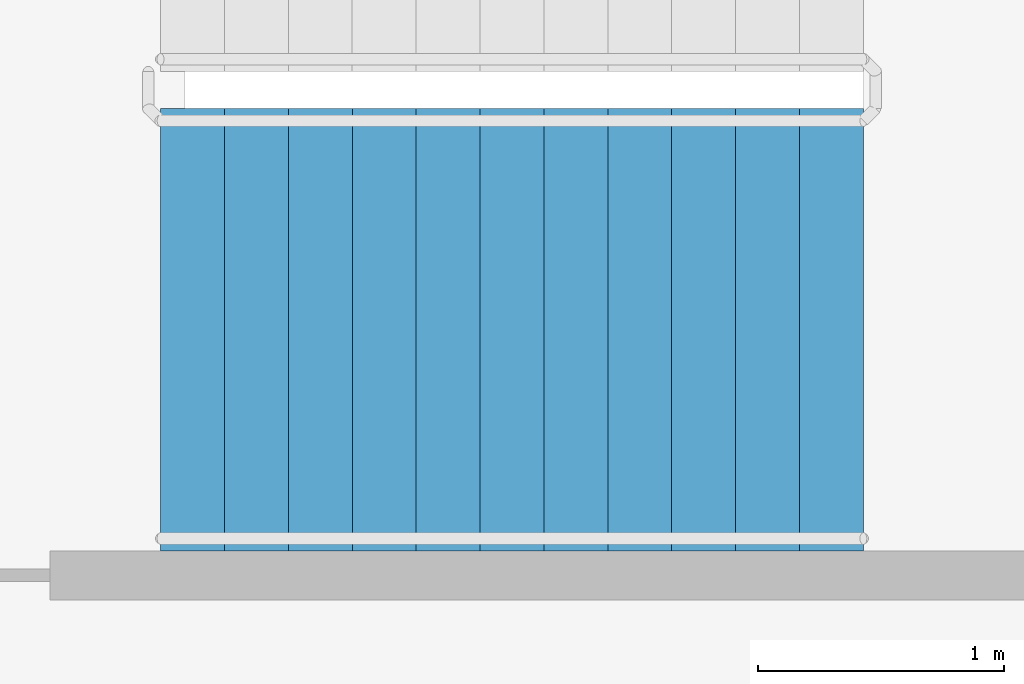
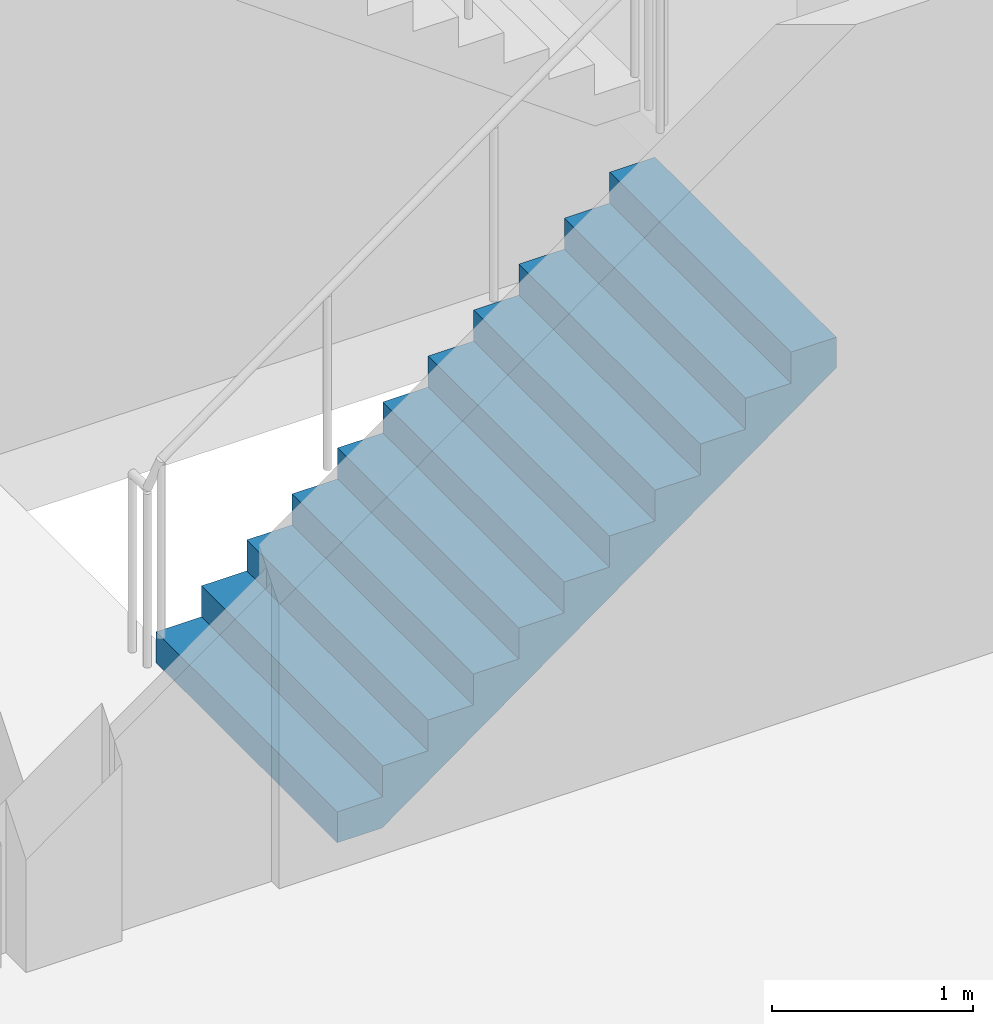
# One storey, part 38 of 51: 1 stair flight, 1 element without a shape of its own.
"""IFC4 building model written with IfcOpenShell, lengths in metres."""

from ifc_helpers import new_model, si_unit, direction, frame, origin, place, context, subcontext, project, spatial, faceted_brep, material, type_object, element, aggregate, save


model = new_model("IFC4")

# Units and contexts
model_context = context("Model", 3, precision=1e-05, world=origin(), true_north=direction((0.0, 1.0)))
body_context = subcontext(model_context, "Body", "Model", "MODEL_VIEW")
ifc_project = project(units=[si_unit("LENGTHUNIT", "METRE"), si_unit("AREAUNIT", "SQUARE_METRE"), si_unit("VOLUMEUNIT", "CUBIC_METRE"), si_unit("PLANEANGLEUNIT", "RADIAN"), si_unit("MASSUNIT", "GRAM", prefix="KILO")], contexts=[model_context])

# Site, building, storey
site_placement = place(None, origin())
site = spatial("IfcSite", under=ifc_project, at=site_placement, CompositionType="ELEMENT")
building_placement = place(site_placement, origin())
building = spatial("IfcBuilding", under=site, at=building_placement, Name="Ipe Terrace Towers", CompositionType="ELEMENT")
storey_placement = place(building_placement, frame((0.0, 0.0, 15.5)))
storey = spatial("IfcBuildingStorey", under=building, at=storey_placement, Name="L03", CompositionType="ELEMENT", Elevation=15.5)

# Stair, stair flight
ifc_material_1 = material(Name="Concrete C30/37", Category="concrete")
stair_type = type_object("IfcStairType", Name="Protected exit stair", PredefinedType="HALF_TURN_STAIR", material=ifc_material_1)
stair_placement = place(storey_placement, origin())
stair = element("IfcStair", 1, at=stair_placement, inside=storey, type_object=stair_type, Name="L03 Podium exit stair PS6", PredefinedType="HALF_TURN_STAIR")
ifc_material_2 = material(Name="Concrete C30/37", Category="concrete")
stair_flight_type = type_object("IfcStairFlightType", Name="Exit stair flight 1800", PredefinedType="STRAIGHT", material=ifc_material_2)
stair_flight_placement = place(storey_placement, frame((49.77001953125, -22.5, 0.0), z_axis=(0.0, 0.0, 1.0), x_axis=(1.0, 0.0, 0.0)))
stair_flight = element("IfcStairFlight", 2, at=stair_flight_placement, type_object=stair_flight_type, Name="PS6 flight 1", NumberOfRisers=12, NumberOfTreads=11, PredefinedType="STRAIGHT", RiserHeight=0.1875, TreadLength=0.26, context=body_context, shape_type="Brep", body=[
    faceted_brep([(0.25634765625, -0.89990234375, 0.0), (2.860107421875, -0.89990234375, 1.877685546875), (2.860107421875, -0.89990234375, 2.0625), (2.60009765625, -0.89990234375, 2.0625), (2.60009765625, -0.89990234375, 1.875), (2.340087890625, -0.89990234375, 1.875), (2.340087890625, -0.89990234375, 1.6875), (2.080078125, -0.89990234375, 1.6875), (2.080078125, -0.89990234375, 1.5), (1.820068359375, -0.89990234375, 1.5), (1.820068359375, -0.89990234375, 1.3125), (1.56005859375, -0.89990234375, 1.3125), (1.56005859375, -0.89990234375, 1.125), (1.300048828125, -0.89990234375, 1.125), (1.300048828125, -0.89990234375, 0.9375), (1.0400390625, -0.89990234375, 0.9375), (1.0400390625, -0.89990234375, 0.75), (0.780029296875, -0.89990234375, 0.75), (0.780029296875, -0.89990234375, 0.5625), (0.52001953125, -0.89990234375, 0.5625), (0.52001953125, -0.89990234375, 0.375), (0.260009765625, -0.89990234375, 0.375), (0.260009765625, -0.89990234375, 0.1875), (0.0, -0.89990234375, 0.1875), (0.0, -0.89990234375, 0.0), (0.0, 0.89990234375, 0.0), (0.0, 0.89990234375, 0.1875), (0.260009765625, 0.89990234375, 0.1875), (0.260009765625, 0.89990234375, 0.375), (0.52001953125, 0.89990234375, 0.375), (0.52001953125, 0.89990234375, 0.5625), (0.780029296875, 0.89990234375, 0.5625), (0.780029296875, 0.89990234375, 0.75), (1.0400390625, 0.89990234375, 0.75), (1.0400390625, 0.89990234375, 0.9375), (1.300048828125, 0.89990234375, 0.9375), (1.300048828125, 0.89990234375, 1.125), (1.56005859375, 0.89990234375, 1.125), (1.56005859375, 0.89990234375, 1.3125), (1.820068359375, 0.89990234375, 1.3125), (1.820068359375, 0.89990234375, 1.5), (2.080078125, 0.89990234375, 1.5), (2.080078125, 0.89990234375, 1.6875), (2.340087890625, 0.89990234375, 1.6875), (2.340087890625, 0.89990234375, 1.875), (2.60009765625, 0.89990234375, 1.875), (2.60009765625, 0.89990234375, 2.0625), (2.860107421875, 0.89990234375, 2.0625), (2.860107421875, 0.89990234375, 1.877685546875), (0.25634765625, 0.89990234375, 0.0), (0.0, -0.300048828125, 0.1875), (0.0, -0.1201171875, 0.1875), (0.0, -0.06005859375, 0.1875), (0.0, -0.030029296875, 0.1875), (0.0, -0.010009765625, 0.1875), (0.0, 0.0, 0.1875), (0.0, 0.010009765625, 0.1875), (0.0, 0.030029296875, 0.1875), (0.0, 0.06005859375, 0.1875), (0.0, 0.1201171875, 0.1875), (0.0, 0.300048828125, 0.1875), (0.0, 0.300048828125, 0.0), (0.0, 0.1201171875, 0.0), (0.0, 0.06005859375, 0.0), (0.0, 0.030029296875, 0.0), (0.0, 0.010009765625, 0.0), (0.0, 0.0, 0.0), (0.0, -0.010009765625, 0.0), (0.0, -0.030029296875, 0.0), (0.0, -0.06005859375, 0.0), (0.0, -0.1201171875, 0.0), (0.0, -0.300048828125, 0.0), (0.260009765625, -0.300048828125, 0.1875), (0.260009765625, -0.1201171875, 0.1875), (0.260009765625, -0.06005859375, 0.1875), (0.260009765625, -0.030029296875, 0.1875), (0.260009765625, -0.010009765625, 0.1875), (0.260009765625, 0.0, 0.1875), (0.260009765625, 0.010009765625, 0.1875), (0.260009765625, 0.030029296875, 0.1875), (0.260009765625, 0.06005859375, 0.1875), (0.260009765625, 0.1201171875, 0.1875), (0.260009765625, 0.300048828125, 0.1875), (0.260009765625, -0.300048828125, 0.375), (0.260009765625, -0.1201171875, 0.375), (0.260009765625, -0.06005859375, 0.375), (0.260009765625, -0.030029296875, 0.375), (0.260009765625, -0.010009765625, 0.375), (0.260009765625, 0.0, 0.375), (0.260009765625, 0.010009765625, 0.375), (0.260009765625, 0.030029296875, 0.375), (0.260009765625, 0.06005859375, 0.375), (0.260009765625, 0.1201171875, 0.375), (0.260009765625, 0.300048828125, 0.375), (0.52001953125, -0.300048828125, 0.375), (0.52001953125, -0.1201171875, 0.375), (0.52001953125, -0.06005859375, 0.375), (0.52001953125, -0.030029296875, 0.375), (0.52001953125, -0.010009765625, 0.375), (0.52001953125, 0.0, 0.375), (0.52001953125, 0.010009765625, 0.375), (0.52001953125, 0.030029296875, 0.375), (0.52001953125, 0.06005859375, 0.375), (0.52001953125, 0.1201171875, 0.375), (0.52001953125, 0.300048828125, 0.375), (0.52001953125, -0.300048828125, 0.5625), (0.52001953125, -0.1201171875, 0.5625), (0.52001953125, -0.06005859375, 0.5625), (0.52001953125, -0.030029296875, 0.5625), (0.52001953125, -0.010009765625, 0.5625), (0.52001953125, 0.0, 0.5625), (0.52001953125, 0.010009765625, 0.5625), (0.52001953125, 0.030029296875, 0.5625), (0.52001953125, 0.06005859375, 0.5625), (0.52001953125, 0.1201171875, 0.5625), (0.52001953125, 0.300048828125, 0.5625), (0.780029296875, -0.300048828125, 0.5625), (0.780029296875, -0.1201171875, 0.5625), (0.780029296875, -0.06005859375, 0.5625), (0.780029296875, -0.030029296875, 0.5625), (0.780029296875, -0.010009765625, 0.5625), (0.780029296875, 0.0, 0.5625), (0.780029296875, 0.010009765625, 0.5625), (0.780029296875, 0.030029296875, 0.5625), (0.780029296875, 0.06005859375, 0.5625), (0.780029296875, 0.1201171875, 0.5625), (0.780029296875, 0.300048828125, 0.5625), (0.780029296875, -0.300048828125, 0.75), (0.780029296875, -0.1201171875, 0.75), (0.780029296875, -0.06005859375, 0.75), (0.780029296875, -0.030029296875, 0.75), (0.780029296875, -0.010009765625, 0.75), (0.780029296875, 0.0, 0.75), (0.780029296875, 0.010009765625, 0.75), (0.780029296875, 0.030029296875, 0.75), (0.780029296875, 0.06005859375, 0.75), (0.780029296875, 0.1201171875, 0.75), (0.780029296875, 0.300048828125, 0.75), (1.0400390625, -0.300048828125, 0.75), (1.0400390625, -0.1201171875, 0.75), (1.0400390625, -0.06005859375, 0.75), (1.0400390625, -0.030029296875, 0.75), (1.0400390625, -0.010009765625, 0.75), (1.0400390625, 0.0, 0.75), (1.0400390625, 0.010009765625, 0.75), (1.0400390625, 0.030029296875, 0.75), (1.0400390625, 0.06005859375, 0.75), (1.0400390625, 0.1201171875, 0.75), (1.0400390625, 0.300048828125, 0.75), (1.0400390625, -0.300048828125, 0.9375), (1.0400390625, -0.1201171875, 0.9375), (1.0400390625, -0.06005859375, 0.9375), (1.0400390625, -0.030029296875, 0.9375), (1.0400390625, -0.010009765625, 0.9375), (1.0400390625, 0.0, 0.9375), (1.0400390625, 0.010009765625, 0.9375), (1.0400390625, 0.030029296875, 0.9375), (1.0400390625, 0.06005859375, 0.9375), (1.0400390625, 0.1201171875, 0.9375), (1.0400390625, 0.300048828125, 0.9375), (1.300048828125, -0.300048828125, 0.9375), (1.300048828125, -0.1201171875, 0.9375), (1.300048828125, -0.06005859375, 0.9375), (1.300048828125, -0.030029296875, 0.9375), (1.300048828125, -0.010009765625, 0.9375), (1.300048828125, 0.0, 0.9375), (1.300048828125, 0.010009765625, 0.9375), (1.300048828125, 0.030029296875, 0.9375), (1.300048828125, 0.06005859375, 0.9375), (1.300048828125, 0.1201171875, 0.9375), (1.300048828125, 0.300048828125, 0.9375), (1.300048828125, -0.300048828125, 1.125), (1.300048828125, -0.1201171875, 1.125), (1.300048828125, -0.06005859375, 1.125), (1.300048828125, -0.030029296875, 1.125), (1.300048828125, -0.010009765625, 1.125), (1.300048828125, 0.0, 1.125), (1.300048828125, 0.010009765625, 1.125), (1.300048828125, 0.030029296875, 1.125), (1.300048828125, 0.06005859375, 1.125), (1.300048828125, 0.1201171875, 1.125), (1.300048828125, 0.300048828125, 1.125), (1.56005859375, -0.300048828125, 1.125), (1.56005859375, -0.1201171875, 1.125), (1.56005859375, -0.06005859375, 1.125), (1.56005859375, -0.030029296875, 1.125), (1.56005859375, -0.010009765625, 1.125), (1.56005859375, 0.0, 1.125), (1.56005859375, 0.010009765625, 1.125), (1.56005859375, 0.030029296875, 1.125), (1.56005859375, 0.06005859375, 1.125), (1.56005859375, 0.1201171875, 1.125), (1.56005859375, 0.300048828125, 1.125), (1.56005859375, -0.300048828125, 1.3125), (1.56005859375, -0.1201171875, 1.3125), (1.56005859375, -0.06005859375, 1.3125), (1.56005859375, -0.030029296875, 1.3125), (1.56005859375, -0.010009765625, 1.3125), (1.56005859375, 0.0, 1.3125), (1.56005859375, 0.010009765625, 1.3125), (1.56005859375, 0.030029296875, 1.3125), (1.56005859375, 0.06005859375, 1.3125), (1.56005859375, 0.1201171875, 1.3125), (1.56005859375, 0.300048828125, 1.3125), (1.820068359375, -0.300048828125, 1.3125), (1.820068359375, -0.1201171875, 1.3125), (1.820068359375, -0.06005859375, 1.3125), (1.820068359375, -0.030029296875, 1.3125), (1.820068359375, -0.010009765625, 1.3125), (1.820068359375, 0.0, 1.3125), (1.820068359375, 0.010009765625, 1.3125), (1.820068359375, 0.030029296875, 1.3125), (1.820068359375, 0.06005859375, 1.3125), (1.820068359375, 0.1201171875, 1.3125), (1.820068359375, 0.300048828125, 1.3125), (1.820068359375, -0.300048828125, 1.5), (1.820068359375, -0.1201171875, 1.5), (1.820068359375, -0.06005859375, 1.5), (1.820068359375, -0.030029296875, 1.5), (1.820068359375, -0.010009765625, 1.5), (1.820068359375, 0.0, 1.5), (1.820068359375, 0.010009765625, 1.5), (1.820068359375, 0.030029296875, 1.5), (1.820068359375, 0.06005859375, 1.5), (1.820068359375, 0.1201171875, 1.5), (1.820068359375, 0.300048828125, 1.5), (2.080078125, -0.300048828125, 1.5), (2.080078125, -0.1201171875, 1.5), (2.080078125, -0.06005859375, 1.5), (2.080078125, -0.030029296875, 1.5), (2.080078125, -0.010009765625, 1.5), (2.080078125, 0.0, 1.5), (2.080078125, 0.010009765625, 1.5), (2.080078125, 0.030029296875, 1.5), (2.080078125, 0.06005859375, 1.5), (2.080078125, 0.1201171875, 1.5), (2.080078125, 0.300048828125, 1.5), (2.080078125, -0.300048828125, 1.6875), (2.080078125, -0.1201171875, 1.6875), (2.080078125, -0.06005859375, 1.6875), (2.080078125, -0.030029296875, 1.6875), (2.080078125, -0.010009765625, 1.6875), (2.080078125, 0.0, 1.6875), (2.080078125, 0.010009765625, 1.6875), (2.080078125, 0.030029296875, 1.6875), (2.080078125, 0.06005859375, 1.6875), (2.080078125, 0.1201171875, 1.6875), (2.080078125, 0.300048828125, 1.6875), (2.340087890625, -0.300048828125, 1.6875), (2.340087890625, -0.1201171875, 1.6875), (2.340087890625, -0.06005859375, 1.6875), (2.340087890625, -0.030029296875, 1.6875), (2.340087890625, -0.010009765625, 1.6875), (2.340087890625, 0.0, 1.6875), (2.340087890625, 0.010009765625, 1.6875), (2.340087890625, 0.030029296875, 1.6875), (2.340087890625, 0.06005859375, 1.6875), (2.340087890625, 0.1201171875, 1.6875), (2.340087890625, 0.300048828125, 1.6875), (2.340087890625, -0.300048828125, 1.875), (2.340087890625, -0.1201171875, 1.875), (2.340087890625, -0.06005859375, 1.875), (2.340087890625, -0.030029296875, 1.875), (2.340087890625, -0.010009765625, 1.875), (2.340087890625, 0.0, 1.875), (2.340087890625, 0.010009765625, 1.875), (2.340087890625, 0.030029296875, 1.875), (2.340087890625, 0.06005859375, 1.875), (2.340087890625, 0.1201171875, 1.875), (2.340087890625, 0.300048828125, 1.875), (2.60009765625, -0.300048828125, 1.875), (2.60009765625, -0.1201171875, 1.875), (2.60009765625, -0.06005859375, 1.875), (2.60009765625, -0.030029296875, 1.875), (2.60009765625, -0.010009765625, 1.875), (2.60009765625, 0.0, 1.875), (2.60009765625, 0.010009765625, 1.875), (2.60009765625, 0.030029296875, 1.875), (2.60009765625, 0.06005859375, 1.875), (2.60009765625, 0.1201171875, 1.875), (2.60009765625, 0.300048828125, 1.875), (2.60009765625, -0.300048828125, 2.0625), (2.60009765625, -0.1201171875, 2.0625), (2.60009765625, -0.06005859375, 2.0625), (2.60009765625, -0.030029296875, 2.0625), (2.60009765625, -0.010009765625, 2.0625), (2.60009765625, 0.0, 2.0625), (2.60009765625, 0.010009765625, 2.0625), (2.60009765625, 0.030029296875, 2.0625), (2.60009765625, 0.06005859375, 2.0625), (2.60009765625, 0.1201171875, 2.0625), (2.60009765625, 0.300048828125, 2.0625), (2.860107421875, -0.300048828125, 2.0625), (2.860107421875, -0.1201171875, 2.0625), (2.860107421875, -0.06005859375, 2.0625), (2.860107421875, -0.030029296875, 2.0625), (2.860107421875, -0.010009765625, 2.0625), (2.860107421875, 0.0, 2.0625), (2.860107421875, 0.010009765625, 2.0625), (2.860107421875, 0.030029296875, 2.0625), (2.860107421875, 0.06005859375, 2.0625), (2.860107421875, 0.1201171875, 2.0625), (2.860107421875, 0.300048828125, 2.0625), (2.860107421875, -0.300048828125, 1.877685546875), (2.860107421875, -0.1201171875, 1.877685546875), (2.860107421875, -0.06005859375, 1.877685546875), (2.860107421875, -0.030029296875, 1.877685546875), (2.860107421875, -0.010009765625, 1.877685546875), (2.860107421875, 0.0, 1.877685546875), (2.860107421875, 0.010009765625, 1.877685546875), (2.860107421875, 0.030029296875, 1.877685546875), (2.860107421875, 0.06005859375, 1.877685546875), (2.860107421875, 0.1201171875, 1.877685546875), (2.860107421875, 0.300048828125, 1.877685546875), (0.25634765625, -0.300048828125, 0.0), (0.25634765625, -0.1201171875, 0.0), (0.25634765625, -0.06005859375, 0.0), (0.25634765625, -0.030029296875, 0.0), (0.25634765625, -0.010009765625, 0.0), (0.25634765625, 0.0, 0.0), (0.25634765625, 0.010009765625, 0.0), (0.25634765625, 0.030029296875, 0.0), (0.25634765625, 0.06005859375, 0.0), (0.25634765625, 0.1201171875, 0.0), (0.25634765625, 0.300048828125, 0.0)], [[[0, 1, 2, 3, 4, 5, 6, 7, 8, 9, 10, 11, 12, 13, 14, 15, 16, 17, 18, 19, 20, 21, 22, 23, 24]], [[25, 26, 27, 28, 29, 30, 31, 32, 33, 34, 35, 36, 37, 38, 39, 40, 41, 42, 43, 44, 45, 46, 47, 48, 49]], [[23, 50, 51, 52, 53, 54, 55, 56, 57, 58, 59, 60, 26, 25, 61, 62, 63, 64, 65, 66, 67, 68, 69, 70, 71, 24]], [[22, 72, 73, 74, 75, 76, 77, 78, 79, 80, 81, 82, 27, 26, 60, 59, 58, 57, 56, 55, 54, 53, 52, 51, 50, 23]], [[21, 83, 84, 85, 86, 87, 88, 89, 90, 91, 92, 93, 28, 27, 82, 81, 80, 79, 78, 77, 76, 75, 74, 73, 72, 22]], [[20, 94, 95, 96, 97, 98, 99, 100, 101, 102, 103, 104, 29, 28, 93, 92, 91, 90, 89, 88, 87, 86, 85, 84, 83, 21]], [[19, 105, 106, 107, 108, 109, 110, 111, 112, 113, 114, 115, 30, 29, 104, 103, 102, 101, 100, 99, 98, 97, 96, 95, 94, 20]], [[18, 116, 117, 118, 119, 120, 121, 122, 123, 124, 125, 126, 31, 30, 115, 114, 113, 112, 111, 110, 109, 108, 107, 106, 105, 19]], [[17, 127, 128, 129, 130, 131, 132, 133, 134, 135, 136, 137, 32, 31, 126, 125, 124, 123, 122, 121, 120, 119, 118, 117, 116, 18]], [[16, 138, 139, 140, 141, 142, 143, 144, 145, 146, 147, 148, 33, 32, 137, 136, 135, 134, 133, 132, 131, 130, 129, 128, 127, 17]], [[15, 149, 150, 151, 152, 153, 154, 155, 156, 157, 158, 159, 34, 33, 148, 147, 146, 145, 144, 143, 142, 141, 140, 139, 138, 16]], [[14, 160, 161, 162, 163, 164, 165, 166, 167, 168, 169, 170, 35, 34, 159, 158, 157, 156, 155, 154, 153, 152, 151, 150, 149, 15]], [[13, 171, 172, 173, 174, 175, 176, 177, 178, 179, 180, 181, 36, 35, 170, 169, 168, 167, 166, 165, 164, 163, 162, 161, 160, 14]], [[12, 182, 183, 184, 185, 186, 187, 188, 189, 190, 191, 192, 37, 36, 181, 180, 179, 178, 177, 176, 175, 174, 173, 172, 171, 13]], [[11, 193, 194, 195, 196, 197, 198, 199, 200, 201, 202, 203, 38, 37, 192, 191, 190, 189, 188, 187, 186, 185, 184, 183, 182, 12]], [[10, 204, 205, 206, 207, 208, 209, 210, 211, 212, 213, 214, 39, 38, 203, 202, 201, 200, 199, 198, 197, 196, 195, 194, 193, 11]], [[9, 215, 216, 217, 218, 219, 220, 221, 222, 223, 224, 225, 40, 39, 214, 213, 212, 211, 210, 209, 208, 207, 206, 205, 204, 10]], [[8, 226, 227, 228, 229, 230, 231, 232, 233, 234, 235, 236, 41, 40, 225, 224, 223, 222, 221, 220, 219, 218, 217, 216, 215, 9]], [[7, 237, 238, 239, 240, 241, 242, 243, 244, 245, 246, 247, 42, 41, 236, 235, 234, 233, 232, 231, 230, 229, 228, 227, 226, 8]], [[6, 248, 249, 250, 251, 252, 253, 254, 255, 256, 257, 258, 43, 42, 247, 246, 245, 244, 243, 242, 241, 240, 239, 238, 237, 7]], [[5, 259, 260, 261, 262, 263, 264, 265, 266, 267, 268, 269, 44, 43, 258, 257, 256, 255, 254, 253, 252, 251, 250, 249, 248, 6]], [[4, 270, 271, 272, 273, 274, 275, 276, 277, 278, 279, 280, 45, 44, 269, 268, 267, 266, 265, 264, 263, 262, 261, 260, 259, 5]], [[3, 281, 282, 283, 284, 285, 286, 287, 288, 289, 290, 291, 46, 45, 280, 279, 278, 277, 276, 275, 274, 273, 272, 271, 270, 4]], [[2, 292, 293, 294, 295, 296, 297, 298, 299, 300, 301, 302, 47, 46, 291, 290, 289, 288, 287, 286, 285, 284, 283, 282, 281, 3]], [[1, 303, 304, 305, 306, 307, 308, 309, 310, 311, 312, 313, 48, 47, 302, 301, 300, 299, 298, 297, 296, 295, 294, 293, 292, 2]], [[0, 314, 315, 316, 317, 318, 319, 320, 321, 322, 323, 324, 49, 48, 313, 312, 311, 310, 309, 308, 307, 306, 305, 304, 303, 1]], [[24, 71, 70, 69, 68, 67, 66, 65, 64, 63, 62, 61, 25, 49, 324, 323, 322, 321, 320, 319, 318, 317, 316, 315, 314, 0]]]),
])
aggregate(stair, [stair_flight])

save(model, "model.ifc")
